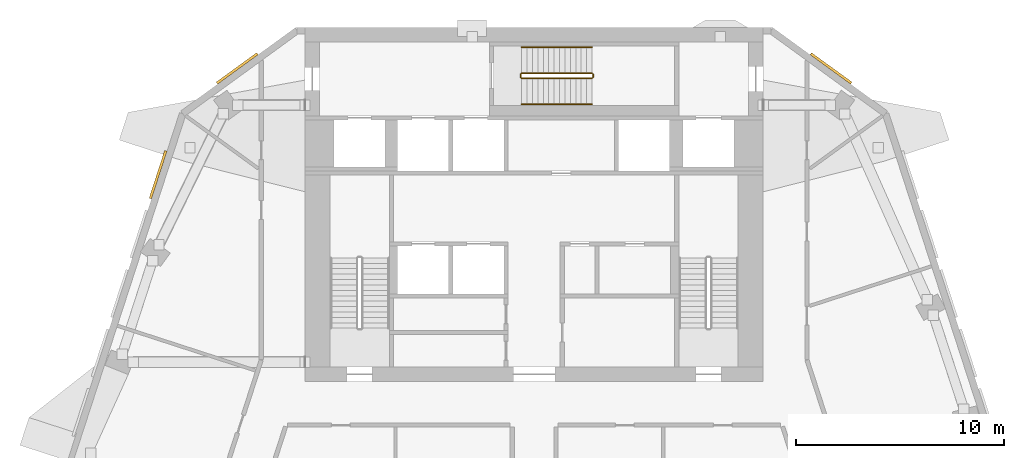
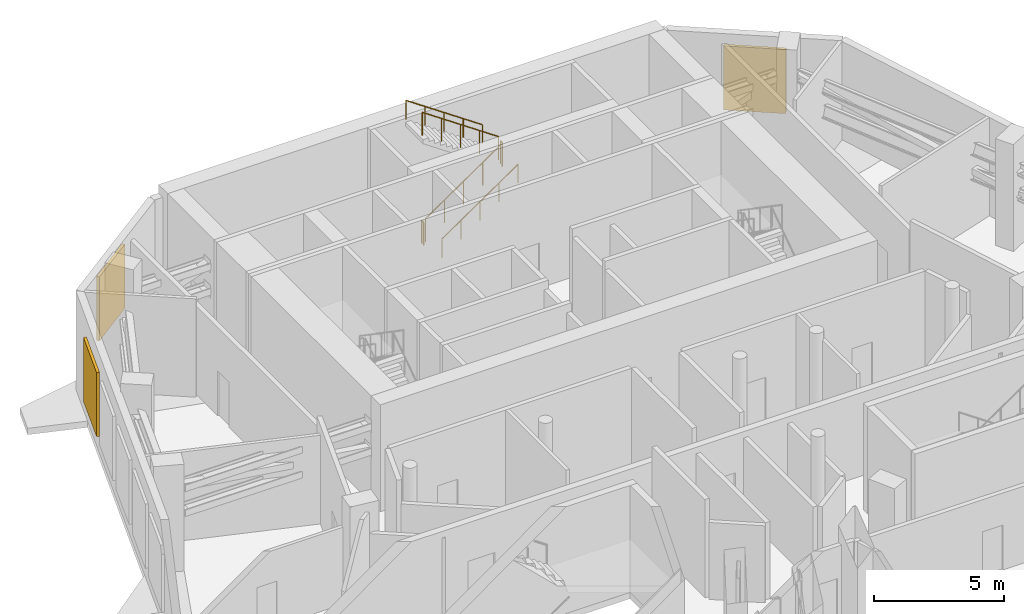
# One storey, part 14 of 15: 6 railings, 3 shading devices.
"""IFC4 building model written with IfcOpenShell, lengths in metres."""

from ifc_helpers import new_model, si_unit, direction, frame, origin, origin_2d, place, context, subcontext, project, spatial, rectangle, circle, extrude, material, type_object, element, save


model = new_model("IFC4")

# Units and contexts
model_context = context("Model", 3, precision=1e-05, world=origin(), true_north=direction((0.0, 1.0)))
body_context = subcontext(model_context, "Body", "Model", "MODEL_VIEW")
ifc_project = project(units=[si_unit("LENGTHUNIT", "METRE"), si_unit("AREAUNIT", "SQUARE_METRE"), si_unit("VOLUMEUNIT", "CUBIC_METRE"), si_unit("PLANEANGLEUNIT", "RADIAN"), si_unit("MASSUNIT", "GRAM", prefix="KILO")], contexts=[model_context])

# Site, building, storey
site_placement = place(None, origin())
site = spatial("IfcSite", under=ifc_project, at=site_placement, CompositionType="ELEMENT")
building_placement = place(site_placement, origin())
building = spatial("IfcBuilding", under=site, at=building_placement, Name="White Candle Pilgrim Tower", CompositionType="ELEMENT")
storey_placement = place(building_placement, frame((0.0, 0.0, 295.10009765625)))
storey = spatial("IfcBuildingStorey", under=building, at=storey_placement, Name="L70", CompositionType="ELEMENT", Elevation=295.10009765625)

# Shading devices
ifc_material_1 = material(Name="Aluminium", Category="aluminium")
shading_device_type = type_object("IfcShadingDeviceType", Name="Plant louvre LV1 2400x3000 aluminium framed", PredefinedType="USERDEFINED", material=ifc_material_1)
for number, where, z_axis, x_axis, name in (
    (1, (84.2578125, 86.024658203125, 0.7998046875), (0.0, 0.0, 1.0), (-0.809016975868, 0.587785277765, 0.0), "Plant louvre L70 NE chamfer 1"),
    (2, (55.7421875, 86.024658203125, 0.7998046875), (0.0, 0.0, 1.0), (-0.809016975868, -0.587785277765, 0.0), "Plant louvre L70 NW chamfer 1"),
    (3, (51.9443359375, 80.922607421875, 0.7998046875), (0.0, 0.0, 1.0), (-0.309016998591, -0.951056514925, 0.0), "Plant louvre L70 WNW 1"),
):
    element("IfcShadingDevice", number, at=place(storey_placement, frame(where, z_axis=z_axis, x_axis=x_axis)), inside=storey, type_object=shading_device_type, Name=name, ObjectType="LOUVRE", PredefinedType="USERDEFINED", context=body_context, shape_type="SweptSolid", body=[
        extrude(rectangle(XDim=2.39990234375, YDim=0.1201171875, at=origin_2d()), origin(), (0.0, 0.0, 1.0), 3.0),
    ])

# Railings
ifc_material_2 = material(Name="Stainless steel", Category="steel")
railing_type_1 = type_object("IfcRailingType", Name="Stair guard stainless steel 1100 mm", PredefinedType="GUARDRAIL", material=ifc_material_2)
railing_1_placement = place(storey_placement, frame((69.39990234375, 85.550048828125, 0.178466796875)))
element("IfcRailing", 4, at=railing_1_placement, inside=storey, type_object=railing_type_1, Name="L70 ST3 stair guard 1", PredefinedType="GUARDRAIL", context=body_context, shape_type="SweptSolid", body=[
    extrude(circle(Radius=0.02392578125, at=origin_2d()), frame((0.0, 0.0, 1.076171875), z_axis=(0.824304150675, 0.0, 0.566147213346), x_axis=(0.0, 1.0, 0.0)), (0.0, 0.0, 1.0), 4.1005859375),
    extrude(circle(Radius=0.02099609375, at=origin_2d()), origin(), (0.0, 0.0, 1.0), 1.052001953125),
    extrude(circle(Radius=0.02099609375, at=origin_2d()), frame((0.844970703125, 0.0, 0.580322265625)), (0.0, 0.0, 1.0), 1.052001953125),
    extrude(circle(Radius=0.02099609375, at=origin_2d()), frame((1.68994140625, 0.0, 1.16064453125)), (0.0, 0.0, 1.0), 1.052001953125),
    extrude(circle(Radius=0.02099609375, at=origin_2d()), frame((2.53515625, 0.0, 1.7412109375)), (0.0, 0.0, 1.0), 1.052001953125),
    extrude(circle(Radius=0.02099609375, at=origin_2d()), frame((3.380126953125, 0.0, 2.321533203125)), (0.0, 0.0, 1.0), 1.052001953125),
])
railing_2_placement = place(storey_placement, frame((72.830078125, 85.60009765625, 2.5)))
element("IfcRailing", 5, at=railing_2_placement, inside=storey, type_object=railing_type_1, Name="L70 ST3 stair guard 2", PredefinedType="GUARDRAIL", context=body_context, shape_type="SweptSolid", body=[
    extrude(circle(Radius=0.02392578125, at=origin_2d()), frame((0.0, 0.0, 1.076171875), z_axis=(0.0, 1.0, 0.0), x_axis=(-1.0, 0.0, 0.0)), (0.0, 0.0, 1.0), 0.14990234375),
    extrude(circle(Radius=0.02099609375, at=origin_2d()), origin(), (0.0, 0.0, 1.0), 1.052001953125),
    extrude(circle(Radius=0.02099609375, at=origin_2d()), frame((0.0, 0.14990234375, 0.0)), (0.0, 0.0, 1.0), 1.052001953125),
])
railing_3_placement = place(storey_placement, frame((72.780029296875, 85.800048828125, 2.678466796875)))
element("IfcRailing", 6, at=railing_3_placement, inside=storey, type_object=railing_type_1, Name="L70 ST3 stair guard 3", PredefinedType="GUARDRAIL", context=body_context, shape_type="SweptSolid", body=[
    extrude(circle(Radius=0.02392578125, at=origin_2d()), frame((0.0, 0.0, 1.076171875), z_axis=(-0.824304150675, 0.0, 0.566147213346), x_axis=(0.0, -1.0, 0.0)), (0.0, 0.0, 1.0), 4.1005859375),
    extrude(circle(Radius=0.02099609375, at=origin_2d()), origin(), (0.0, 0.0, 1.0), 1.052001953125),
    extrude(circle(Radius=0.02099609375, at=origin_2d()), frame((-0.844970703125, 0.0, 0.580322265625)), (0.0, 0.0, 1.0), 1.052001953125),
    extrude(circle(Radius=0.02099609375, at=origin_2d()), frame((-1.68994140625, 0.0, 1.16064453125)), (0.0, 0.0, 1.0), 1.052001953125),
    extrude(circle(Radius=0.02099609375, at=origin_2d()), frame((-2.53515625, 0.0, 1.7412109375)), (0.0, 0.0, 1.0), 1.052001953125),
    extrude(circle(Radius=0.02099609375, at=origin_2d()), frame((-3.380126953125, 0.0, 2.321533203125)), (0.0, 0.0, 1.0), 1.052001953125),
])
railing_4_placement = place(storey_placement, frame((69.35009765625, 85.60009765625, 0.0)))
element("IfcRailing", 7, at=railing_4_placement, inside=storey, type_object=railing_type_1, Name="L70 ST3 stair guard 4", PredefinedType="GUARDRAIL", context=body_context, shape_type="SweptSolid", body=[
    extrude(circle(Radius=0.02392578125, at=origin_2d()), frame((0.0, 0.0, 1.076171875), z_axis=(0.0, 1.0, 0.0), x_axis=(-1.0, 0.0, 0.0)), (0.0, 0.0, 1.0), 0.14990234375),
    extrude(circle(Radius=0.02099609375, at=origin_2d()), origin(), (0.0, 0.0, 1.0), 1.052001953125),
    extrude(circle(Radius=0.02099609375, at=origin_2d()), frame((0.0, 0.14990234375, 0.0)), (0.0, 0.0, 1.0), 1.052001953125),
])
railing_type_2 = type_object("IfcRailingType", Name="Stair handrail stainless steel", PredefinedType="HANDRAIL", material=ifc_material_2)
railing_5_placement = place(storey_placement, frame((69.39990234375, 84.300048828125, 0.178466796875)))
element("IfcRailing", 8, at=railing_5_placement, inside=storey, type_object=railing_type_2, Name="L70 ST3 stair handrail 1", PredefinedType="HANDRAIL", context=body_context, shape_type="SweptSolid", body=[
    extrude(circle(Radius=0.02392578125, at=origin_2d()), frame((0.0, 0.0, 0.8759765625), z_axis=(0.824304150675, 0.0, 0.566147213346), x_axis=(0.0, 1.0, 0.0)), (0.0, 0.0, 1.0), 4.1005859375),
    extrude(circle(Radius=0.02099609375, at=origin_2d()), origin(), (0.0, 0.0, 1.0), 0.851806640625),
    extrude(circle(Radius=0.02099609375, at=origin_2d()), frame((0.844970703125, 0.0, 0.580322265625)), (0.0, 0.0, 1.0), 0.851806640625),
    extrude(circle(Radius=0.02099609375, at=origin_2d()), frame((1.68994140625, 0.0, 1.16064453125)), (0.0, 0.0, 1.0), 0.851806640625),
    extrude(circle(Radius=0.02099609375, at=origin_2d()), frame((2.53515625, 0.0, 1.7412109375)), (0.0, 0.0, 1.0), 0.851806640625),
    extrude(circle(Radius=0.02099609375, at=origin_2d()), frame((3.380126953125, 0.0, 2.321533203125)), (0.0, 0.0, 1.0), 0.851806640625),
])
railing_6_placement = place(storey_placement, frame((72.780029296875, 87.050048828125, 2.678466796875)))
element("IfcRailing", 9, at=railing_6_placement, inside=storey, type_object=railing_type_2, Name="L70 ST3 stair handrail 2", PredefinedType="HANDRAIL", context=body_context, shape_type="SweptSolid", body=[
    extrude(circle(Radius=0.02392578125, at=origin_2d()), frame((0.0, 0.0, 0.8759765625), z_axis=(-0.824304150675, 0.0, 0.566147213346), x_axis=(0.0, -1.0, 0.0)), (0.0, 0.0, 1.0), 4.1005859375),
    extrude(circle(Radius=0.02099609375, at=origin_2d()), origin(), (0.0, 0.0, 1.0), 0.851806640625),
    extrude(circle(Radius=0.02099609375, at=origin_2d()), frame((-0.844970703125, 0.0, 0.580322265625)), (0.0, 0.0, 1.0), 0.851806640625),
    extrude(circle(Radius=0.02099609375, at=origin_2d()), frame((-1.68994140625, 0.0, 1.16064453125)), (0.0, 0.0, 1.0), 0.851806640625),
    extrude(circle(Radius=0.02099609375, at=origin_2d()), frame((-2.53515625, 0.0, 1.7412109375)), (0.0, 0.0, 1.0), 0.851806640625),
    extrude(circle(Radius=0.02099609375, at=origin_2d()), frame((-3.380126953125, 0.0, 2.321533203125)), (0.0, 0.0, 1.0), 0.851806640625),
])

save(model, "model.ifc")
